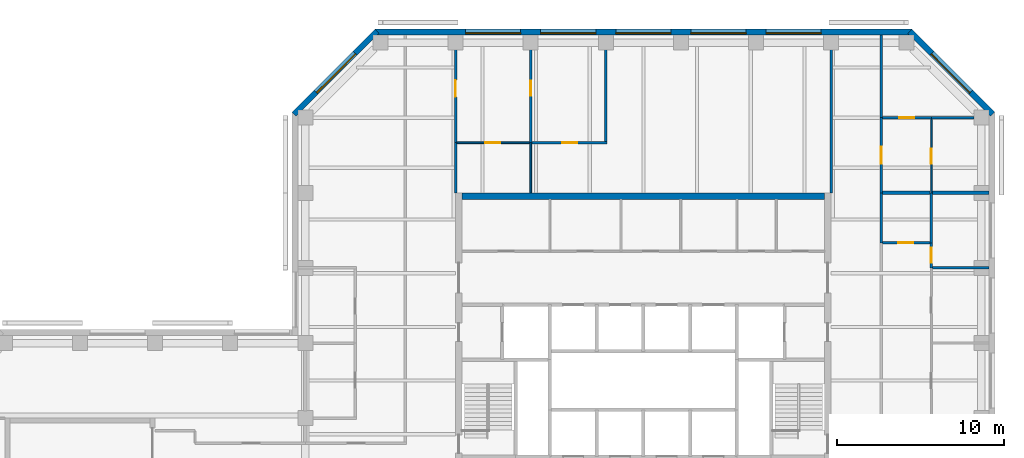
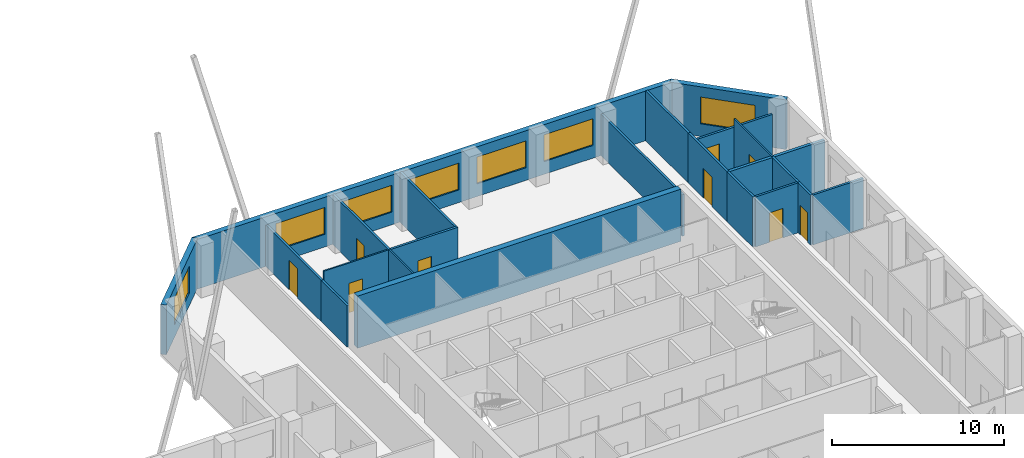
# One storey, part 7 of 9: 24 walls, 9 doors, 7 windows, 16 openings.
"""IFC4 building model written with IfcOpenShell, lengths in metres."""

from ifc_helpers import new_model, si_unit, direction, frame, frame_2d, origin, place, context, subcontext, project, spatial, rectangle, extrude, material, layer, layer_set, constituent, constituent_set, type_object, element, fill, save


model = new_model("IFC4")

# Units and contexts
model_context = context("Model", 3, precision=1e-05, world=origin(), true_north=direction((0.0, 1.0)))
body_context = subcontext(model_context, "Body", "Model", "MODEL_VIEW")
ifc_project = project(units=[si_unit("LENGTHUNIT", "METRE"), si_unit("AREAUNIT", "SQUARE_METRE"), si_unit("VOLUMEUNIT", "CUBIC_METRE"), si_unit("PLANEANGLEUNIT", "RADIAN"), si_unit("MASSUNIT", "GRAM", prefix="KILO")], contexts=[model_context])

# Site, building, storey
site_placement = place(None, origin())
site = spatial("IfcSite", under=ifc_project, at=site_placement, CompositionType="ELEMENT")
building_placement = place(site_placement, origin())
building = spatial("IfcBuilding", under=site, at=building_placement, Name="Quoin Convention Tower", CompositionType="ELEMENT")
storey_placement = place(building_placement, frame((0.0, 0.0, 203.199951171875)))
storey = spatial("IfcBuildingStorey", under=building, at=storey_placement, Name="L53", CompositionType="ELEMENT", Elevation=203.199951171875)

# Wall
ifc_material_1 = material(Name="Plasterboard")
ifc_layer_1 = layer(ifc_material_1, 0.012451171875, Name="Finish")
ifc_material_2 = material(Name="Steel stud framing", Category="steel")
ifc_layer_2 = layer(ifc_material_2, 0.125, Name="Structure")
ifc_layer_3 = layer(ifc_material_1, 0.012451171875, Name="Finish")
ifc_layer_set_1 = layer_set([ifc_layer_1, ifc_layer_2, ifc_layer_3], Name="Steel stud framing")
wall_type_1 = type_object("IfcWallType", Name="Acoustic partition 150", PredefinedType="PARTITIONING", material=ifc_layer_set_1)
wall_1_placement = place(storey_placement, frame((73.574951171875, 67.5, 0.0), z_axis=(0.0, 0.0, 1.0), x_axis=(1.0, 0.0, 0.0)))
element("IfcWall", 1, at=wall_1_placement, inside=storey, type_object=wall_type_1, Name="pw-L53-028", PredefinedType="PARTITIONING", context=body_context, shape_type="SweptSolid", body=[
    extrude(rectangle(XDim=3.375, YDim=0.14990234375, at=frame_2d((1.6875, 0.0))), origin(), (0.0, 0.0, 1.0), 3.550048828125),
])

# Wall, opening, door
wall_2_placement = place(storey_placement, frame((49.574951171875, 75.0, 0.0), z_axis=(0.0, 0.0, 1.0), x_axis=(1.0, 0.0, 0.0)))
wall_2 = element("IfcWall", 2, at=wall_2_placement, inside=storey, type_object=wall_type_1, Name="pw-L53-033", PredefinedType="PARTITIONING", context=body_context, shape_type="SweptSolid", body=[
    extrude(rectangle(XDim=4.5, YDim=0.14990234375, at=frame_2d((2.25, 0.0))), origin(), (0.0, 0.0, 1.0), 3.550048828125),
])
opening_1_placement = place(wall_2_placement, frame((1.800048828125, 0.0, 0.0)))
opening_1 = element("IfcOpeningElement", 3, at=opening_1_placement, cuts=wall_2, Name="Opening DOH8-09", PredefinedType="OPENING", context=body_context, shape_type="SweptSolid", body=[
    extrude(rectangle(XDim=0.89990234375, YDim=2.10009765625, at=frame_2d((0.449951171875, 1.050048828125))), frame((0.0, 0.0849609375, 0.0), z_axis=(0.0, -1.0, 0.0), x_axis=(1.0, 0.0, 0.0)), (0.0, 0.0, 1.0), 0.169921875),
])
ifc_material_3 = material(Name="Steel door leaf", Category="steel")
door_type_1 = type_object("IfcDoorType", Name="Office door 900 x 2100", OperationType="SINGLE_SWING_RIGHT", PredefinedType="DOOR", material=ifc_material_3)
door_1_placement = place(opening_1_placement, frame((0.89990234375, 0.0, 0.0), z_axis=(0.0, 0.0, 1.0), x_axis=(-1.0, 0.0, 0.0)))
door_1 = element("IfcDoor", 4, at=door_1_placement, inside=storey, type_object=door_type_1, Name="dr-L53-17", OperationType="SINGLE_SWING_LEFT", OverallHeight=2.10009765625, OverallWidth=0.89990234375, PredefinedType="DOOR", context=body_context, shape_type="SweptSolid", body=[
    extrude(rectangle(XDim=0.89990234375, YDim=2.10009765625, at=frame_2d((0.449951171875, 1.050048828125))), frame((0.0, 0.02490234375, 0.0), z_axis=(0.0, -1.0, 0.0), x_axis=(1.0, 0.0, 0.0)), (0.0, 0.0, 1.0), 0.050048828125),
])
fill(opening_1, door_1)

wall_3_placement = place(storey_placement, frame((73.5, 67.5, 0.0), z_axis=(0.0, 0.0, 1.0), x_axis=(0.0, 1.0, 0.0)))
wall_3 = element("IfcWall", 5, at=wall_3_placement, inside=storey, type_object=wall_type_1, Name="pw-L53-074", PredefinedType="PARTITIONING", context=body_context, shape_type="SweptSolid", body=[
    extrude(rectangle(XDim=1.5, YDim=0.14990234375, at=frame_2d((0.75, 0.0))), origin(), (0.0, 0.0, 1.0), 3.550048828125),
])
opening_2_placement = place(wall_3_placement, frame((0.300048828125, 0.0, 0.0)))
opening_2 = element("IfcOpeningElement", 6, at=opening_2_placement, cuts=wall_3, Name="Opening DOH8-23", PredefinedType="OPENING", context=body_context, shape_type="SweptSolid", body=[
    extrude(rectangle(XDim=0.89990234375, YDim=2.10009765625, at=frame_2d((0.449951171875, 1.050048828125))), frame((0.0, 0.0849609375, 0.0), z_axis=(0.0, -1.0, 0.0), x_axis=(1.0, 0.0, 0.0)), (0.0, 0.0, 1.0), 0.169921875),
])
door_2_placement = place(opening_2_placement, origin())
door_2 = element("IfcDoor", 7, at=door_2_placement, inside=storey, type_object=door_type_1, Name="dr-L53-32", OperationType="SINGLE_SWING_RIGHT", OverallHeight=2.10009765625, OverallWidth=0.89990234375, PredefinedType="DOOR", context=body_context, shape_type="SweptSolid", body=[
    extrude(rectangle(XDim=0.89990234375, YDim=2.10009765625, at=frame_2d((0.449951171875, 1.050048828125))), frame((0.0, 0.02490234375, 0.0), z_axis=(0.0, -1.0, 0.0), x_axis=(1.0, 0.0, 0.0)), (0.0, 0.0, 1.0), 0.050048828125),
])
fill(opening_2, door_2)

wall_4_placement = place(storey_placement, frame((49.5, 75.0, 0.0), z_axis=(0.0, 0.0, 1.0), x_axis=(0.0, 1.0, 0.0)))
wall_4 = element("IfcWall", 8, at=wall_4_placement, inside=storey, type_object=wall_type_1, Name="pw-L53-083", PredefinedType="PARTITIONING", context=body_context, shape_type="SweptSolid", body=[
    extrude(rectangle(XDim=6.449951171875, YDim=0.14990234375, at=frame_2d((3.22509765625, 0.0))), origin(), (0.0, 0.0, 1.0), 3.550048828125),
])
opening_3_placement = place(wall_4_placement, frame((2.800048828125, 0.0, 0.0)))
opening_3 = element("IfcOpeningElement", 9, at=opening_3_placement, cuts=wall_4, Name="Opening DOH8-27", PredefinedType="OPENING", context=body_context, shape_type="SweptSolid", body=[
    extrude(rectangle(XDim=0.89990234375, YDim=2.10009765625, at=frame_2d((0.449951171875, 1.050048828125))), frame((0.0, 0.0849609375, 0.0), z_axis=(0.0, -1.0, 0.0), x_axis=(1.0, 0.0, 0.0)), (0.0, 0.0, 1.0), 0.169921875),
])
door_3_placement = place(opening_3_placement, frame((0.89990234375, 0.0, 0.0), z_axis=(0.0, 0.0, 1.0), x_axis=(-1.0, 0.0, 0.0)))
door_3 = element("IfcDoor", 10, at=door_3_placement, inside=storey, type_object=door_type_1, Name="dr-L53-15", OperationType="SINGLE_SWING_LEFT", OverallHeight=2.10009765625, OverallWidth=0.89990234375, PredefinedType="DOOR", context=body_context, shape_type="SweptSolid", body=[
    extrude(rectangle(XDim=0.89990234375, YDim=2.10009765625, at=frame_2d((0.449951171875, 1.050048828125))), frame((0.0, 0.02490234375, 0.0), z_axis=(0.0, -1.0, 0.0), x_axis=(1.0, 0.0, 0.0)), (0.0, 0.0, 1.0), 0.050048828125),
])
fill(opening_3, door_3)

# Wall
wall_5_placement = place(storey_placement, frame((54.0, 75.074951171875, 0.0), z_axis=(0.0, 0.0, 1.0), x_axis=(0.0, 1.0, 0.0)))
element("IfcWall", 11, at=wall_5_placement, inside=storey, type_object=wall_type_1, Name="pw-L53-084", PredefinedType="PARTITIONING", context=body_context, shape_type="SweptSolid", body=[
    extrude(rectangle(XDim=6.375, YDim=0.14990234375, at=frame_2d((3.1875, 0.0))), origin(), (0.0, 0.0, 1.0), 3.550048828125),
])

# Wall, opening, door
ifc_layer_4 = layer(ifc_material_1, 0.012451171875, Name="Finish")
ifc_layer_5 = layer(ifc_material_2, 0.125, Name="Structure")
ifc_layer_6 = layer(ifc_material_1, 0.012451171875, Name="Finish")
ifc_layer_set_2 = layer_set([ifc_layer_4, ifc_layer_5, ifc_layer_6], Name="Steel stud framing")
wall_type_2 = type_object("IfcWallType", Name="Acoustic partition 150 under beam 602", PredefinedType="PARTITIONING", material=ifc_layer_set_2)
wall_6_placement = place(storey_placement, frame((70.574951171875, 76.5, 0.0), z_axis=(0.0, 0.0, 1.0), x_axis=(1.0, 0.0, 0.0)))
wall_6 = element("IfcWall", 12, at=wall_6_placement, inside=storey, type_object=wall_type_2, Name="pw-L53-034", PredefinedType="PARTITIONING", context=body_context, shape_type="SweptSolid", body=[
    extrude(rectangle(XDim=2.925048828125, YDim=0.14990234375, at=frame_2d((1.46240234375, 0.0))), origin(), (0.0, 0.0, 1.0), 2.947998046875),
])
opening_4_placement = place(wall_6_placement, frame((1.0, 0.0, 0.0)))
opening_4 = element("IfcOpeningElement", 13, at=opening_4_placement, cuts=wall_6, Name="Opening DOH8-10", PredefinedType="OPENING", context=body_context, shape_type="SweptSolid", body=[
    extrude(rectangle(XDim=0.89990234375, YDim=2.10009765625, at=frame_2d((0.449951171875, 1.050048828125))), frame((0.0, 0.0849609375, 0.0), z_axis=(0.0, -1.0, 0.0), x_axis=(1.0, 0.0, 0.0)), (0.0, 0.0, 1.0), 0.169921875),
])
door_4_placement = place(opening_4_placement, origin())
door_4 = element("IfcDoor", 14, at=door_4_placement, inside=storey, type_object=door_type_1, Name="dr-L53-35", OperationType="SINGLE_SWING_RIGHT", OverallHeight=2.10009765625, OverallWidth=0.89990234375, PredefinedType="DOOR", context=body_context, shape_type="SweptSolid", body=[
    extrude(rectangle(XDim=0.89990234375, YDim=2.10009765625, at=frame_2d((0.449951171875, 1.050048828125))), frame((0.0, 0.02490234375, 0.0), z_axis=(0.0, -1.0, 0.0), x_axis=(1.0, 0.0, 0.0)), (0.0, 0.0, 1.0), 0.050048828125),
])
fill(opening_4, door_4)

# Wall
wall_7_placement = place(storey_placement, frame((73.5, 76.5, 0.0), z_axis=(0.0, 0.0, 1.0), x_axis=(1.0, 0.0, 0.0)))
element("IfcWall", 15, at=wall_7_placement, inside=storey, type_object=wall_type_2, Name="pw-L53-035", PredefinedType="PARTITIONING", context=body_context, shape_type="SweptSolid", body=[
    extrude(rectangle(XDim=2.550048828125, YDim=0.14990234375, at=frame_2d((1.27490234375, 0.0))), origin(), (0.0, 0.0, 1.0), 2.947998046875),
])

# Wall, opening, window
ifc_material_4 = material(Name="Brick masonry", Category="masonry")
ifc_layer_7 = layer(ifc_material_4, 0.35009765625)
ifc_layer_set_3 = layer_set([ifc_layer_7], Name="Brick masonry")
wall_type_3 = type_object("IfcWallType", Name="Brick facade wall", PredefinedType="STANDARD", material=ifc_layer_set_3)
wall_8_placement = place(storey_placement, frame((77.17626953125, 76.70751953125, 0.0), z_axis=(0.0, 0.0, 1.0), x_axis=(-0.707106781187, 0.707106781187, 0.0)))
wall_8 = element("IfcWall", 16, at=wall_8_placement, inside=storey, type_object=wall_type_3, Name="fw-L53-76500_76500", PredefinedType="STANDARD", context=body_context, shape_type="SweptSolid", body=[
    extrude(rectangle(XDim=7.02685546875, YDim=0.35009765625, at=frame_2d((3.513427734375, 0.0))), origin(), (0.0, 0.0, 1.0), 3.525146484375),
])
opening_5_placement = place(wall_8_placement, frame((1.86328125, 0.0, 0.89990234375)))
opening_5 = element("IfcOpeningElement", 17, at=opening_5_placement, cuts=wall_8, Name="Opening W-02", PredefinedType="OPENING", context=body_context, shape_type="SweptSolid", body=[
    extrude(rectangle(XDim=3.300048828125, YDim=1.89990234375, at=frame_2d((1.64990234375, 0.949951171875))), frame((0.0, 0.18505859375, 0.0), z_axis=(0.0, -1.0, 0.0), x_axis=(1.0, 0.0, 0.0)), (0.0, 0.0, 1.0), 0.3701171875),
])
ifc_material_5 = material(Name="Aluminium", Category="aluminium")
ifc_constituent_1 = constituent(ifc_material_5, Name="Frame")
ifc_material_6 = material(Name="Insulated glass", Category="glass")
ifc_constituent_2 = constituent(ifc_material_6, Name="Glazing")
ifc_constituent_set = constituent_set(constituents=[ifc_constituent_1, ifc_constituent_2], Name="Aluminium")
window_type = type_object("IfcWindowType", Name="Office window", PartitioningType="DOUBLE_PANEL_VERTICAL", PredefinedType="WINDOW", material=ifc_constituent_set)
window_1_placement = place(opening_5_placement, origin())
window_1 = element("IfcWindow", 18, at=window_1_placement, inside=storey, type_object=window_type, Name="win-L53-74692_79192", OverallHeight=1.89990234375, OverallWidth=3.300048828125, PartitioningType="SINGLE_PANEL", PredefinedType="WINDOW", context=body_context, shape_type="SweptSolid", body=[
    extrude(rectangle(XDim=3.300048828125, YDim=1.89990234375, at=frame_2d((1.64990234375, 0.949951171875))), frame((0.0, 0.0849609375, 0.0), z_axis=(0.0, -1.0, 0.0), x_axis=(1.0, 0.0, 0.0)), (0.0, 0.0, 1.0), 0.06005859375),
])
fill(opening_5, window_1)

# Wall, openings, windows
wall_9_placement = place(storey_placement, frame((72.331298828125, 81.625, 0.0), z_axis=(0.0, 0.0, 1.0), x_axis=(-1.0, 0.0, 0.0)))
wall_9 = element("IfcWall", 19, at=wall_9_placement, inside=storey, type_object=wall_type_3, Name="fw-L53-72000_81000", PredefinedType="STANDARD", context=body_context, shape_type="SweptSolid", body=[
    extrude(rectangle(XDim=32.16259765625, YDim=0.35009765625, at=frame_2d((16.081298828125, 0.0))), origin(), (0.0, 0.0, 1.0), 3.525146484375),
])
opening_6_placement = place(wall_9_placement, frame((5.431396484375, 0.0, 0.89990234375)))
opening_6 = element("IfcOpeningElement", 20, at=opening_6_placement, cuts=wall_9, Name="Opening W-02", PredefinedType="OPENING", context=body_context, shape_type="SweptSolid", body=[
    extrude(rectangle(XDim=3.300048828125, YDim=1.89990234375, at=frame_2d((1.64990234375, 0.949951171875))), frame((0.0, 0.18505859375, 0.0), z_axis=(0.0, -1.0, 0.0), x_axis=(1.0, 0.0, 0.0)), (0.0, 0.0, 1.0), 0.3701171875),
])
opening_7_placement = place(wall_9_placement, frame((9.931396484375, 0.0, 0.89990234375)))
opening_7 = element("IfcOpeningElement", 21, at=opening_7_placement, cuts=wall_9, Name="Opening W-02", PredefinedType="OPENING", context=body_context, shape_type="SweptSolid", body=[
    extrude(rectangle(XDim=3.300048828125, YDim=1.89990234375, at=frame_2d((1.64990234375, 0.949951171875))), frame((0.0, 0.18505859375, 0.0), z_axis=(0.0, -1.0, 0.0), x_axis=(1.0, 0.0, 0.0)), (0.0, 0.0, 1.0), 0.3701171875),
])
opening_8_placement = place(wall_9_placement, frame((14.431396484375, 0.0, 0.89990234375)))
opening_8 = element("IfcOpeningElement", 22, at=opening_8_placement, cuts=wall_9, Name="Opening W-02", PredefinedType="OPENING", context=body_context, shape_type="SweptSolid", body=[
    extrude(rectangle(XDim=3.300048828125, YDim=1.89990234375, at=frame_2d((1.64990234375, 0.949951171875))), frame((0.0, 0.18505859375, 0.0), z_axis=(0.0, -1.0, 0.0), x_axis=(1.0, 0.0, 0.0)), (0.0, 0.0, 1.0), 0.3701171875),
])
opening_9_placement = place(wall_9_placement, frame((18.931396484375, 0.0, 0.89990234375)))
opening_9 = element("IfcOpeningElement", 23, at=opening_9_placement, cuts=wall_9, Name="Opening W-02", PredefinedType="OPENING", context=body_context, shape_type="SweptSolid", body=[
    extrude(rectangle(XDim=3.300048828125, YDim=1.89990234375, at=frame_2d((1.64990234375, 0.949951171875))), frame((0.0, 0.18505859375, 0.0), z_axis=(0.0, -1.0, 0.0), x_axis=(1.0, 0.0, 0.0)), (0.0, 0.0, 1.0), 0.3701171875),
])
opening_10_placement = place(wall_9_placement, frame((23.431396484375, 0.0, 0.89990234375)))
opening_10 = element("IfcOpeningElement", 24, at=opening_10_placement, cuts=wall_9, Name="Opening W-02", PredefinedType="OPENING", context=body_context, shape_type="SweptSolid", body=[
    extrude(rectangle(XDim=3.300048828125, YDim=1.89990234375, at=frame_2d((1.64990234375, 0.949951171875))), frame((0.0, 0.18505859375, 0.0), z_axis=(0.0, -1.0, 0.0), x_axis=(1.0, 0.0, 0.0)), (0.0, 0.0, 1.0), 0.3701171875),
])
window_2_placement = place(opening_6_placement, origin())
window_2 = element("IfcWindow", 25, at=window_2_placement, inside=storey, type_object=window_type, Name="win-L53-65250_81625", OverallHeight=1.89990234375, OverallWidth=3.300048828125, PartitioningType="SINGLE_PANEL", PredefinedType="WINDOW", context=body_context, shape_type="SweptSolid", body=[
    extrude(rectangle(XDim=3.300048828125, YDim=1.89990234375, at=frame_2d((1.64990234375, 0.949951171875))), frame((0.0, 0.0849609375, 0.0), z_axis=(0.0, -1.0, 0.0), x_axis=(1.0, 0.0, 0.0)), (0.0, 0.0, 1.0), 0.06005859375),
])
fill(opening_6, window_2)
window_3_placement = place(opening_7_placement, origin())
window_3 = element("IfcWindow", 26, at=window_3_placement, inside=storey, type_object=window_type, Name="win-L53-60750_81625", OverallHeight=1.89990234375, OverallWidth=3.300048828125, PartitioningType="SINGLE_PANEL", PredefinedType="WINDOW", context=body_context, shape_type="SweptSolid", body=[
    extrude(rectangle(XDim=3.300048828125, YDim=1.89990234375, at=frame_2d((1.64990234375, 0.949951171875))), frame((0.0, 0.0849609375, 0.0), z_axis=(0.0, -1.0, 0.0), x_axis=(1.0, 0.0, 0.0)), (0.0, 0.0, 1.0), 0.06005859375),
])
fill(opening_7, window_3)
window_4_placement = place(opening_8_placement, origin())
window_4 = element("IfcWindow", 27, at=window_4_placement, inside=storey, type_object=window_type, Name="win-L53-56250_81625", OverallHeight=1.89990234375, OverallWidth=3.300048828125, PartitioningType="SINGLE_PANEL", PredefinedType="WINDOW", context=body_context, shape_type="SweptSolid", body=[
    extrude(rectangle(XDim=3.300048828125, YDim=1.89990234375, at=frame_2d((1.64990234375, 0.949951171875))), frame((0.0, 0.0849609375, 0.0), z_axis=(0.0, -1.0, 0.0), x_axis=(1.0, 0.0, 0.0)), (0.0, 0.0, 1.0), 0.06005859375),
])
fill(opening_8, window_4)
window_5_placement = place(opening_9_placement, origin())
window_5 = element("IfcWindow", 28, at=window_5_placement, inside=storey, type_object=window_type, Name="win-L53-51750_81625", OverallHeight=1.89990234375, OverallWidth=3.300048828125, PartitioningType="SINGLE_PANEL", PredefinedType="WINDOW", context=body_context, shape_type="SweptSolid", body=[
    extrude(rectangle(XDim=3.300048828125, YDim=1.89990234375, at=frame_2d((1.64990234375, 0.949951171875))), frame((0.0, 0.0849609375, 0.0), z_axis=(0.0, -1.0, 0.0), x_axis=(1.0, 0.0, 0.0)), (0.0, 0.0, 1.0), 0.06005859375),
])
fill(opening_9, window_5)
window_6_placement = place(opening_10_placement, origin())
window_6 = element("IfcWindow", 29, at=window_6_placement, inside=storey, type_object=window_type, Name="win-L53-47250_81625", OverallHeight=1.89990234375, OverallWidth=3.300048828125, PartitioningType="SINGLE_PANEL", PredefinedType="WINDOW", context=body_context, shape_type="SweptSolid", body=[
    extrude(rectangle(XDim=3.300048828125, YDim=1.89990234375, at=frame_2d((1.64990234375, 0.949951171875))), frame((0.0, 0.0849609375, 0.0), z_axis=(0.0, -1.0, 0.0), x_axis=(1.0, 0.0, 0.0)), (0.0, 0.0, 1.0), 0.06005859375),
])
fill(opening_10, window_6)

# Wall, opening, window
wall_10_placement = place(storey_placement, frame((40.29248046875, 81.67626953125, 0.0), z_axis=(0.0, 0.0, 1.0), x_axis=(-0.707106781187, -0.707106781187, 0.0)))
wall_10 = element("IfcWall", 30, at=wall_10_placement, inside=storey, type_object=wall_type_3, Name="fw-L53-40500_81000", PredefinedType="STANDARD", context=body_context, shape_type="SweptSolid", body=[
    extrude(rectangle(XDim=7.02685546875, YDim=0.35009765625, at=frame_2d((3.513427734375, 0.0))), origin(), (0.0, 0.0, 1.0), 3.525146484375),
])
opening_11_placement = place(wall_10_placement, frame((1.86328125, 0.0, 0.89990234375)))
opening_11 = element("IfcOpeningElement", 31, at=opening_11_placement, cuts=wall_10, Name="Opening W-02", PredefinedType="OPENING", context=body_context, shape_type="SweptSolid", body=[
    extrude(rectangle(XDim=3.300048828125, YDim=1.89990234375, at=frame_2d((1.64990234375, 0.949951171875))), frame((0.0, 0.18505859375, 0.0), z_axis=(0.0, -1.0, 0.0), x_axis=(1.0, 0.0, 0.0)), (0.0, 0.0, 1.0), 0.3701171875),
])
window_7_placement = place(opening_11_placement, origin())
window_7 = element("IfcWindow", 32, at=window_7_placement, inside=storey, type_object=window_type, Name="win-L53-37808_79192", OverallHeight=1.89990234375, OverallWidth=3.300048828125, PartitioningType="SINGLE_PANEL", PredefinedType="WINDOW", context=body_context, shape_type="SweptSolid", body=[
    extrude(rectangle(XDim=3.300048828125, YDim=1.89990234375, at=frame_2d((1.64990234375, 0.949951171875))), frame((0.0, 0.0849609375, 0.0), z_axis=(0.0, -1.0, 0.0), x_axis=(1.0, 0.0, 0.0)), (0.0, 0.0, 1.0), 0.06005859375),
])
fill(opening_11, window_7)

# Wall
ifc_layer_8 = layer(ifc_material_1, 0.012451171875, Name="Finish")
ifc_layer_9 = layer(ifc_material_2, 0.125, Name="Structure")
ifc_layer_10 = layer(ifc_material_1, 0.012451171875, Name="Finish")
ifc_layer_set_4 = layer_set([ifc_layer_8, ifc_layer_9, ifc_layer_10], Name="Steel stud framing")
wall_type_4 = type_object("IfcWallType", Name="Corridor wall 150", PredefinedType="PARTITIONING", material=ifc_layer_set_4)
wall_11_placement = place(storey_placement, frame((70.5, 69.0, 0.0), z_axis=(0.0, 0.0, 1.0), x_axis=(0.0, 1.0, 0.0)))
element("IfcWall", 33, at=wall_11_placement, inside=storey, type_object=wall_type_4, Name="pw-L53-075", PredefinedType="PARTITIONING", context=body_context, shape_type="SweptSolid", body=[
    extrude(rectangle(XDim=3.0, YDim=0.14990234375, at=frame_2d((1.5, 0.0))), origin(), (0.0, 0.0, 1.0), 3.550048828125),
])

# Wall, opening, door
wall_12_placement = place(storey_placement, frame((70.5, 72.0, 0.0), z_axis=(0.0, 0.0, 1.0), x_axis=(0.0, 1.0, 0.0)))
wall_12 = element("IfcWall", 34, at=wall_12_placement, inside=storey, type_object=wall_type_4, Name="pw-L53-080", PredefinedType="PARTITIONING", context=body_context, shape_type="SweptSolid", body=[
    extrude(rectangle(XDim=4.5, YDim=0.14990234375, at=frame_2d((2.25, 0.0))), origin(), (0.0, 0.0, 1.0), 3.550048828125),
])
opening_12_placement = place(wall_12_placement, frame((1.75, 0.0, 0.0)))
opening_12 = element("IfcOpeningElement", 35, at=opening_12_placement, cuts=wall_12, Name="Opening DOH8-24", PredefinedType="OPENING", context=body_context, shape_type="SweptSolid", body=[
    extrude(rectangle(XDim=1.0, YDim=2.10009765625, at=frame_2d((0.5, 1.050048828125))), frame((0.0, 0.0849609375, 0.0), z_axis=(0.0, -1.0, 0.0), x_axis=(1.0, 0.0, 0.0)), (0.0, 0.0, 1.0), 0.169921875),
])
door_type_2 = type_object("IfcDoorType", Name="Tenancy entrance door 1000 x 2100", OperationType="DOUBLE_DOOR_SINGLE_SWING", PredefinedType="DOOR", material=ifc_material_3)
door_5_placement = place(opening_12_placement, frame((1.0, 0.0, 0.0), z_axis=(0.0, 0.0, 1.0), x_axis=(-1.0, 0.0, 0.0)))
door_5 = element("IfcDoor", 36, at=door_5_placement, inside=storey, type_object=door_type_2, Name="dr-L53-33", OperationType="DOUBLE_DOOR_SINGLE_SWING", OverallHeight=2.10009765625, OverallWidth=1.0, PredefinedType="DOOR", context=body_context, shape_type="SweptSolid", body=[
    extrude(rectangle(XDim=1.0, YDim=2.10009765625, at=frame_2d((0.5, 1.050048828125))), frame((0.0, 0.02490234375, 0.0), z_axis=(0.0, -1.0, 0.0), x_axis=(1.0, 0.0, 0.0)), (0.0, 0.0, 1.0), 0.050048828125),
])
fill(opening_12, door_5)

# Walls
wall_13_placement = place(storey_placement, frame((70.5, 76.5, 0.0), z_axis=(0.0, 0.0, 1.0), x_axis=(0.0, 1.0, 0.0)))
element("IfcWall", 37, at=wall_13_placement, inside=storey, type_object=wall_type_4, Name="pw-L53-085", PredefinedType="PARTITIONING", context=body_context, shape_type="SweptSolid", body=[
    extrude(rectangle(XDim=4.949951171875, YDim=0.14990234375, at=frame_2d((2.47509765625, 0.0))), origin(), (0.0, 0.0, 1.0), 3.550048828125),
])
ifc_layer_11 = layer(ifc_material_1, 0.012451171875, Name="Finish")
ifc_layer_12 = layer(ifc_material_2, 0.125, Name="Structure")
ifc_layer_13 = layer(ifc_material_1, 0.012451171875, Name="Finish")
ifc_layer_set_5 = layer_set([ifc_layer_11, ifc_layer_12, ifc_layer_13], Name="Steel stud framing")
wall_type_5 = type_object("IfcWallType", Name="Corridor wall 150 under beam 612", PredefinedType="PARTITIONING", material=ifc_layer_set_5)
wall_14_placement = place(storey_placement, frame((45.0, 72.0, 0.0), z_axis=(0.0, 0.0, 1.0), x_axis=(0.0, 1.0, 0.0)))
element("IfcWall", 38, at=wall_14_placement, inside=storey, type_object=wall_type_5, Name="pw-L53-077", PredefinedType="PARTITIONING", context=body_context, shape_type="SweptSolid", body=[
    extrude(rectangle(XDim=3.0, YDim=0.14990234375, at=frame_2d((1.5, 0.0))), origin(), (0.0, 0.0, 1.0), 2.93798828125),
])
wall_15_placement = place(storey_placement, frame((67.5, 72.0, 0.0), z_axis=(0.0, 0.0, 1.0), x_axis=(0.0, 1.0, 0.0)))
element("IfcWall", 39, at=wall_15_placement, inside=storey, type_object=wall_type_5, Name="pw-L53-079", PredefinedType="PARTITIONING", context=body_context, shape_type="SweptSolid", body=[
    extrude(rectangle(XDim=9.449951171875, YDim=0.14990234375, at=frame_2d((4.72509765625, 0.0))), origin(), (0.0, 0.0, 1.0), 2.93798828125),
])

# Wall, opening, door
wall_16_placement = place(storey_placement, frame((45.0, 75.0, 0.0), z_axis=(0.0, 0.0, 1.0), x_axis=(0.0, 1.0, 0.0)))
wall_16 = element("IfcWall", 40, at=wall_16_placement, inside=storey, type_object=wall_type_5, Name="pw-L53-082", PredefinedType="PARTITIONING", context=body_context, shape_type="SweptSolid", body=[
    extrude(rectangle(XDim=6.449951171875, YDim=0.14990234375, at=frame_2d((3.22509765625, 0.0))), origin(), (0.0, 0.0, 1.0), 2.93798828125),
])
opening_13_placement = place(wall_16_placement, frame((2.75, 0.0, 0.0)))
opening_13 = element("IfcOpeningElement", 41, at=opening_13_placement, cuts=wall_16, Name="Opening DOH8-26", PredefinedType="OPENING", context=body_context, shape_type="SweptSolid", body=[
    extrude(rectangle(XDim=1.0, YDim=2.10009765625, at=frame_2d((0.5, 1.050048828125))), frame((0.0, 0.0849609375, 0.0), z_axis=(0.0, -1.0, 0.0), x_axis=(1.0, 0.0, 0.0)), (0.0, 0.0, 1.0), 0.169921875),
])
door_6_placement = place(opening_13_placement, origin())
door_6 = element("IfcDoor", 42, at=door_6_placement, inside=storey, type_object=door_type_2, Name="dr-L53-14", OperationType="DOUBLE_DOOR_SINGLE_SWING", OverallHeight=2.10009765625, OverallWidth=1.0, PredefinedType="DOOR", context=body_context, shape_type="SweptSolid", body=[
    extrude(rectangle(XDim=1.0, YDim=2.10009765625, at=frame_2d((0.5, 1.050048828125))), frame((0.0, 0.02490234375, 0.0), z_axis=(0.0, -1.0, 0.0), x_axis=(1.0, 0.0, 0.0)), (0.0, 0.0, 1.0), 0.050048828125),
])
fill(opening_13, door_6)

# Wall
ifc_material_7 = material(Name="Concrete C50", Category="concrete")
ifc_layer_14 = layer(ifc_material_7, 0.39990234375)
ifc_layer_set_6 = layer_set([ifc_layer_14], Name="Concrete C50")
wall_type_6 = type_object("IfcWallType", Name="RC CORE WALL 400 C50", PredefinedType="SHEAR", material=ifc_layer_set_6)
wall_17_placement = place(storey_placement, frame((45.39990234375, 71.800048828125, 0.0), z_axis=(0.0, 0.0, 1.0), x_axis=(1.0, 0.0, 0.0)))
element("IfcWall", 43, at=wall_17_placement, inside=storey, type_object=wall_type_6, Name="cwl-C1-L53-N", PredefinedType="SHEAR", context=body_context, shape_type="SweptSolid", body=[
    extrude(rectangle(XDim=21.7001953125, YDim=0.39990234375, at=frame_2d((10.85009765625, 0.0))), origin(), (0.0, 0.0, 1.0), 3.699951171875),
])

# Wall, opening, door
ifc_layer_15 = layer(ifc_material_1, 0.012451171875, Name="Finish")
ifc_layer_16 = layer(ifc_material_2, 0.074951171875, Name="Structure")
ifc_layer_17 = layer(ifc_material_1, 0.012451171875, Name="Finish")
ifc_layer_set_7 = layer_set([ifc_layer_15, ifc_layer_16, ifc_layer_17], Name="Steel stud framing")
wall_type_7 = type_object("IfcWallType", Name="Stud partition 100", PredefinedType="PARTITIONING", material=ifc_layer_set_7)
wall_18_placement = place(storey_placement, frame((45.074951171875, 75.0, 0.0), z_axis=(0.0, 0.0, 1.0), x_axis=(1.0, 0.0, 0.0)))
wall_18 = element("IfcWall", 44, at=wall_18_placement, inside=storey, type_object=wall_type_7, Name="pw-L53-032", PredefinedType="PARTITIONING", context=body_context, shape_type="SweptSolid", body=[
    extrude(rectangle(XDim=4.35009765625, YDim=0.10009765625, at=frame_2d((2.175048828125, 0.0))), origin(), (0.0, 0.0, 1.0), 3.550048828125),
])
opening_14_placement = place(wall_18_placement, frame((1.699951171875, 0.0, 0.0)))
opening_14 = element("IfcOpeningElement", 45, at=opening_14_placement, cuts=wall_18, Name="Opening DOH8-08", PredefinedType="OPENING", context=body_context, shape_type="SweptSolid", body=[
    extrude(rectangle(XDim=0.89990234375, YDim=2.10009765625, at=frame_2d((0.449951171875, 1.050048828125))), frame((0.0, 0.06005859375, 0.0), z_axis=(0.0, -1.0, 0.0), x_axis=(1.0, 0.0, 0.0)), (0.0, 0.0, 1.0), 0.1201171875),
])
door_7_placement = place(opening_14_placement, frame((0.89990234375, 0.0, 0.0), z_axis=(0.0, 0.0, 1.0), x_axis=(-1.0, 0.0, 0.0)))
door_7 = element("IfcDoor", 46, at=door_7_placement, inside=storey, type_object=door_type_1, Name="dr-L53-16", OperationType="SINGLE_SWING_LEFT", OverallHeight=2.10009765625, OverallWidth=0.89990234375, PredefinedType="DOOR", context=body_context, shape_type="SweptSolid", body=[
    extrude(rectangle(XDim=0.89990234375, YDim=2.10009765625, at=frame_2d((0.449951171875, 1.050048828125))), frame((0.0, 0.02490234375, 0.0), z_axis=(0.0, -1.0, 0.0), x_axis=(1.0, 0.0, 0.0)), (0.0, 0.0, 1.0), 0.050048828125),
])
fill(opening_14, door_7)

# Wall
wall_19_placement = place(storey_placement, frame((49.5, 72.0, 0.0), z_axis=(0.0, 0.0, 1.0), x_axis=(0.0, 1.0, 0.0)))
element("IfcWall", 47, at=wall_19_placement, inside=storey, type_object=wall_type_7, Name="pw-L53-078", PredefinedType="PARTITIONING", context=body_context, shape_type="SweptSolid", body=[
    extrude(rectangle(XDim=3.0, YDim=0.10009765625, at=frame_2d((1.5, 0.0))), origin(), (0.0, 0.0, 1.0), 3.550048828125),
])

# Wall, opening, door
wall_20_placement = place(storey_placement, frame((73.5, 72.0, 0.0), z_axis=(0.0, 0.0, 1.0), x_axis=(0.0, 1.0, 0.0)))
wall_20 = element("IfcWall", 48, at=wall_20_placement, inside=storey, type_object=wall_type_7, Name="pw-L53-081", PredefinedType="PARTITIONING", context=body_context, shape_type="SweptSolid", body=[
    extrude(rectangle(XDim=4.425048828125, YDim=0.10009765625, at=frame_2d((2.21240234375, 0.0))), origin(), (0.0, 0.0, 1.0), 3.550048828125),
])
opening_15_placement = place(wall_20_placement, frame((1.75, 0.0, 0.0)))
opening_15 = element("IfcOpeningElement", 49, at=opening_15_placement, cuts=wall_20, Name="Opening DOH8-25", PredefinedType="OPENING", context=body_context, shape_type="SweptSolid", body=[
    extrude(rectangle(XDim=0.89990234375, YDim=2.10009765625, at=frame_2d((0.449951171875, 1.050048828125))), frame((0.0, 0.06005859375, 0.0), z_axis=(0.0, -1.0, 0.0), x_axis=(1.0, 0.0, 0.0)), (0.0, 0.0, 1.0), 0.1201171875),
])
door_8_placement = place(opening_15_placement, frame((0.89990234375, 0.0, 0.0), z_axis=(0.0, 0.0, 1.0), x_axis=(-1.0, 0.0, 0.0)))
door_8 = element("IfcDoor", 50, at=door_8_placement, inside=storey, type_object=door_type_1, Name="dr-L53-34", OperationType="SINGLE_SWING_RIGHT", OverallHeight=2.10009765625, OverallWidth=0.89990234375, PredefinedType="DOOR", context=body_context, shape_type="SweptSolid", body=[
    extrude(rectangle(XDim=0.89990234375, YDim=2.10009765625, at=frame_2d((0.449951171875, 1.050048828125))), frame((0.0, 0.02490234375, 0.0), z_axis=(0.0, -1.0, 0.0), x_axis=(1.0, 0.0, 0.0)), (0.0, 0.0, 1.0), 0.050048828125),
])
fill(opening_15, door_8)

# Walls
ifc_layer_18 = layer(ifc_material_1, 0.012451171875, Name="Finish")
ifc_layer_19 = layer(ifc_material_2, 0.175048828125, Name="Structure")
ifc_layer_20 = layer(ifc_material_1, 0.012451171875, Name="Finish")
ifc_layer_set_8 = layer_set([ifc_layer_18, ifc_layer_19, ifc_layer_20], Name="Steel stud framing")
wall_type_8 = type_object("IfcWallType", Name="Tenancy demising wall 200", PredefinedType="PARTITIONING", material=ifc_layer_set_8)
wall_21_placement = place(storey_placement, frame((70.574951171875, 72.0, 0.0), z_axis=(0.0, 0.0, 1.0), x_axis=(1.0, 0.0, 0.0)))
element("IfcWall", 51, at=wall_21_placement, inside=storey, type_object=wall_type_8, Name="pw-L53-030", PredefinedType="PARTITIONING", context=body_context, shape_type="SweptSolid", body=[
    extrude(rectangle(XDim=2.85009765625, YDim=0.199951171875, at=frame_2d((1.425048828125, 0.0))), origin(), (0.0, 0.0, 1.0), 3.550048828125),
])
wall_22_placement = place(storey_placement, frame((73.574951171875, 72.0, 0.0), z_axis=(0.0, 0.0, 1.0), x_axis=(1.0, 0.0, 0.0)))
element("IfcWall", 52, at=wall_22_placement, inside=storey, type_object=wall_type_8, Name="pw-L53-031", PredefinedType="PARTITIONING", context=body_context, shape_type="SweptSolid", body=[
    extrude(rectangle(XDim=3.375, YDim=0.199951171875, at=frame_2d((1.6875, 0.0))), origin(), (0.0, 0.0, 1.0), 3.550048828125),
])

# Wall, opening, door
ifc_layer_21 = layer(ifc_material_1, 0.012451171875, Name="Finish")
ifc_layer_22 = layer(ifc_material_2, 0.125, Name="Structure")
ifc_layer_23 = layer(ifc_material_1, 0.012451171875, Name="Finish")
ifc_layer_set_9 = layer_set([ifc_layer_21, ifc_layer_22, ifc_layer_23], Name="Steel stud framing")
wall_type_9 = type_object("IfcWallType", Name="Wet area partition 150", PredefinedType="PARTITIONING", material=ifc_layer_set_9)
wall_23_placement = place(storey_placement, frame((70.574951171875, 69.0, 0.0), z_axis=(0.0, 0.0, 1.0), x_axis=(1.0, 0.0, 0.0)))
wall_23 = element("IfcWall", 53, at=wall_23_placement, inside=storey, type_object=wall_type_9, Name="pw-L53-029", PredefinedType="PARTITIONING", context=body_context, shape_type="SweptSolid", body=[
    extrude(rectangle(XDim=2.85009765625, YDim=0.14990234375, at=frame_2d((1.425048828125, 0.0))), origin(), (0.0, 0.0, 1.0), 3.550048828125),
])
opening_16_placement = place(wall_23_placement, frame((0.949951171875, 0.0, 0.0)))
opening_16 = element("IfcOpeningElement", 54, at=opening_16_placement, cuts=wall_23, Name="Opening DOH8-07", PredefinedType="OPENING", context=body_context, shape_type="SweptSolid", body=[
    extrude(rectangle(XDim=0.89990234375, YDim=2.10009765625, at=frame_2d((0.449951171875, 1.050048828125))), frame((0.0, 0.0849609375, 0.0), z_axis=(0.0, -1.0, 0.0), x_axis=(1.0, 0.0, 0.0)), (0.0, 0.0, 1.0), 0.169921875),
])
door_9_placement = place(opening_16_placement, frame((0.89990234375, 0.0, 0.0), z_axis=(0.0, 0.0, 1.0), x_axis=(-1.0, 0.0, 0.0)))
door_9 = element("IfcDoor", 55, at=door_9_placement, inside=storey, type_object=door_type_1, Name="dr-L53-31", OperationType="SINGLE_SWING_LEFT", OverallHeight=2.10009765625, OverallWidth=0.89990234375, PredefinedType="DOOR", context=body_context, shape_type="SweptSolid", body=[
    extrude(rectangle(XDim=0.89990234375, YDim=2.10009765625, at=frame_2d((0.449951171875, 1.050048828125))), frame((0.0, 0.02490234375, 0.0), z_axis=(0.0, -1.0, 0.0), x_axis=(1.0, 0.0, 0.0)), (0.0, 0.0, 1.0), 0.050048828125),
])
fill(opening_16, door_9)

# Wall
wall_24_placement = place(storey_placement, frame((73.5, 69.0, 0.0), z_axis=(0.0, 0.0, 1.0), x_axis=(0.0, 1.0, 0.0)))
element("IfcWall", 56, at=wall_24_placement, inside=storey, type_object=wall_type_9, Name="pw-L53-076", PredefinedType="PARTITIONING", context=body_context, shape_type="SweptSolid", body=[
    extrude(rectangle(XDim=3.0, YDim=0.14990234375, at=frame_2d((1.5, 0.0))), origin(), (0.0, 0.0, 1.0), 3.550048828125),
])

save(model, "model.ifc")
